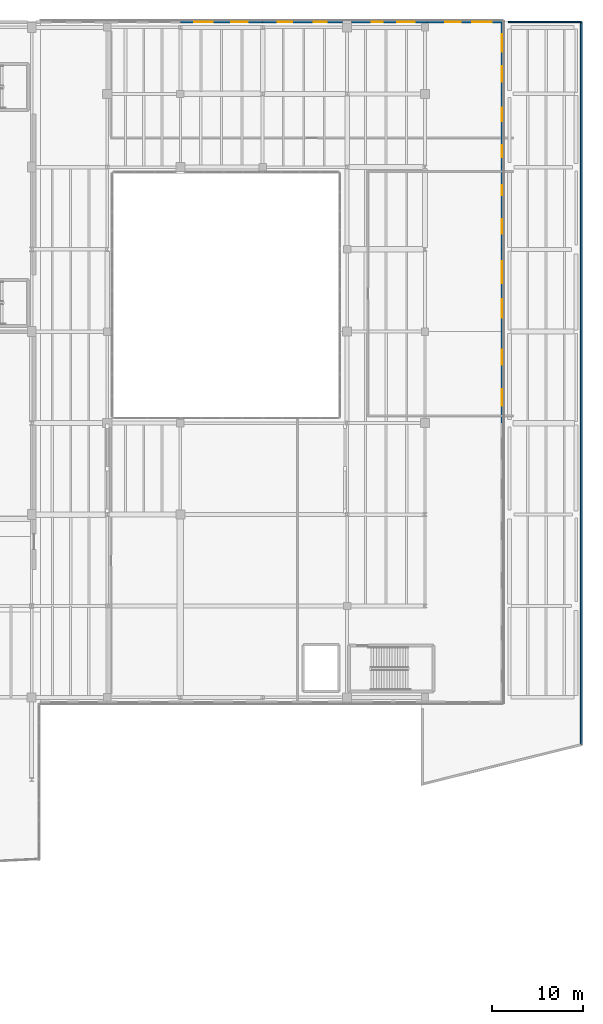
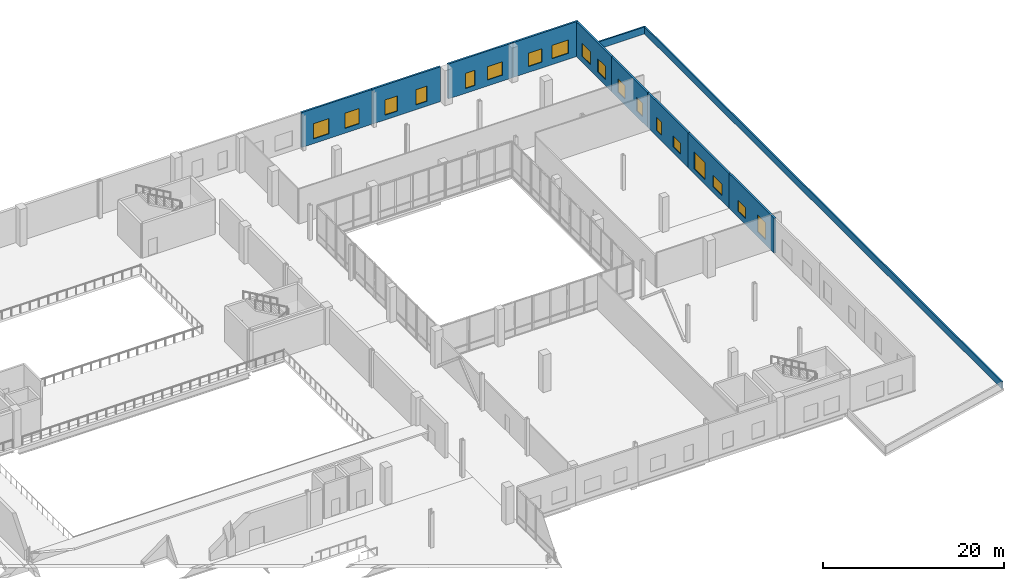
# One storey, part 60 of 73: 18 windows, 11 walls, 18 openings.
"""IFC4 building model written with IfcOpenShell, lengths in metres."""

from ifc_helpers import new_model, si_unit, direction, frame, frame_2d, origin, place, context, subcontext, project, spatial, rectangle, extrude, material, layer, layer_set, type_object, element, fill, save


model = new_model("IFC4")

# Units and contexts
model_context = context("Model", 3, precision=1e-05, world=origin(), true_north=direction((0.0, 1.0)))
body_context = subcontext(model_context, "Body", "Model", "MODEL_VIEW")
ifc_project = project(units=[si_unit("LENGTHUNIT", "METRE"), si_unit("AREAUNIT", "SQUARE_METRE"), si_unit("VOLUMEUNIT", "CUBIC_METRE"), si_unit("PLANEANGLEUNIT", "RADIAN"), si_unit("MASSUNIT", "GRAM", prefix="KILO")], contexts=[model_context])

# Site, building, storey
site_placement = place(None, origin())
site = spatial("IfcSite", under=ifc_project, at=site_placement, CompositionType="ELEMENT")
building_placement = place(site_placement, origin())
building = spatial("IfcBuilding", under=site, at=building_placement, Name="Trimount Lyric Opera House", CompositionType="ELEMENT")
storey_placement = place(building_placement, frame((0.0, 0.0, 10.0)))
storey = spatial("IfcBuildingStorey", under=building, at=storey_placement, Name="L02", CompositionType="ELEMENT", Elevation=10.0)

# Walls
ifc_material_1 = material(Name="Precast concrete C40/50", Category="concrete")
ifc_layer_1 = layer(ifc_material_1, 0.18994140625)
ifc_layer_set_1 = layer_set([ifc_layer_1], Name="WL-PA190")
wall_type_1 = type_object("IfcWallType", Name="WL-PA190", PredefinedType="PARAPET", material=ifc_layer_set_1)
wall_1_placement = place(storey_placement, frame((165.8701171875, 117.860107421875, 0.0), z_axis=(0.0, 0.0, 1.0), x_axis=(1.0, 0.0, 0.0)))
element("IfcWall", 1, at=wall_1_placement, inside=storey, type_object=wall_type_1, Name="L02 roof parapet 005", PredefinedType="PARAPET", context=body_context, shape_type="SweptSolid", body=[
    extrude(rectangle(XDim=7.989990234375, YDim=0.18994140625, at=frame_2d((3.9951171875, 0.0))), origin(), (0.0, 0.0, 1.0), 0.949951171875),
])
wall_2_placement = place(storey_placement, frame((173.860107421875, 117.860107421875, 0.0), z_axis=(0.0, 0.0, 1.0), x_axis=(0.0, -1.0, 0.0)))
element("IfcWall", 2, at=wall_2_placement, inside=storey, type_object=wall_type_1, Name="L02 roof parapet 006", PredefinedType="PARAPET", context=body_context, shape_type="SweptSolid", body=[
    extrude(rectangle(XDim=79.03076171875, YDim=0.18994140625, at=frame_2d((39.515380859375, 0.0))), origin(), (0.0, 0.0, 1.0), 0.949951171875),
])

# Wall, openings, windows
ifc_material_2 = material(Name="Concrete C35/45", Category="concrete")
ifc_layer_2 = layer(ifc_material_2, 0.239990234375)
ifc_layer_set_2 = layer_set([ifc_layer_2], Name="WL-SW240")
wall_type_2 = type_object("IfcWallType", Name="WL-SW240", PredefinedType="SOLIDWALL", material=ifc_layer_set_2)
wall_3_placement = place(storey_placement, frame((130.0, 117.860107421875, 0.0), z_axis=(0.0, 0.0, 1.0), x_axis=(1.0, 0.0, 0.0)))
wall_3 = element("IfcWall", 3, at=wall_3_placement, inside=storey, type_object=wall_type_2, Name="L02 exterior facade wall 218", PredefinedType="SOLIDWALL", context=body_context, shape_type="SweptSolid", body=[
    extrude(rectangle(XDim=9.0, YDim=0.239990234375, at=frame_2d((4.5, 0.0))), origin(), (0.0, 0.0, 1.0), 4.7099609375),
])
opening_1_placement = place(wall_3_placement, frame((1.52001953125, 0.0, 0.64990234375)))
opening_1 = element("IfcOpeningElement", 4, at=opening_1_placement, cuts=wall_3, Name="Opening WT-10", PredefinedType="OPENING", context=body_context, shape_type="SweptSolid", body=[
    extrude(rectangle(XDim=2.0, YDim=2.050048828125, at=frame_2d((1.0, 1.02490234375))), frame((0.0, 0.1298828125, 0.0), z_axis=(0.0, -1.0, 0.0), x_axis=(1.0, 0.0, 0.0)), (0.0, 0.0, 1.0), 0.260009765625),
])
opening_2_placement = place(wall_3_placement, frame((5.580078125, 0.0, 0.64990234375)))
opening_2 = element("IfcOpeningElement", 5, at=opening_2_placement, cuts=wall_3, Name="Opening WT-11", PredefinedType="OPENING", context=body_context, shape_type="SweptSolid", body=[
    extrude(rectangle(XDim=1.800048828125, YDim=2.050048828125, at=frame_2d((0.89990234375, 1.02490234375))), frame((0.0, 0.1298828125, 0.0), z_axis=(0.0, -1.0, 0.0), x_axis=(1.0, 0.0, 0.0)), (0.0, 0.0, 1.0), 0.260009765625),
])
ifc_material_3 = material(Name="Low-E Insulated Glazing in Bronze Frame", Category="glass")
window_type_1 = type_object("IfcWindowType", Name="WT-10", PartitioningType="DOUBLE_PANEL_VERTICAL", PredefinedType="WINDOW", material=ifc_material_3)
window_1_placement = place(opening_1_placement, origin())
window_1 = element("IfcWindow", 6, at=window_1_placement, inside=storey, type_object=window_type_1, Name="Window WT-10-0166", OverallHeight=2.050048828125, OverallWidth=2.0, PartitioningType="SINGLE_PANEL", PredefinedType="WINDOW", context=body_context, shape_type="SweptSolid", body=[
    extrude(rectangle(XDim=2.0, YDim=2.050048828125, at=frame_2d((1.0, 1.02490234375))), frame((0.0, 0.030029296875, 0.0), z_axis=(0.0, -1.0, 0.0), x_axis=(1.0, 0.0, 0.0)), (0.0, 0.0, 1.0), 0.06005859375),
])
fill(opening_1, window_1)
ifc_material_4 = material(Name="Low-E Insulated Glazing in Bronze Frame", Category="glass")
window_type_2 = type_object("IfcWindowType", Name="WT-11", PartitioningType="DOUBLE_PANEL_VERTICAL", PredefinedType="WINDOW", material=ifc_material_4)
window_2_placement = place(opening_2_placement, origin())
window_2 = element("IfcWindow", 7, at=window_2_placement, inside=storey, type_object=window_type_2, Name="Window WT-11-0167", OverallHeight=2.050048828125, OverallWidth=1.800048828125, PartitioningType="SINGLE_PANEL", PredefinedType="WINDOW", context=body_context, shape_type="SweptSolid", body=[
    extrude(rectangle(XDim=1.800048828125, YDim=2.050048828125, at=frame_2d((0.89990234375, 1.02490234375))), frame((0.0, 0.030029296875, 0.0), z_axis=(0.0, -1.0, 0.0), x_axis=(1.0, 0.0, 0.0)), (0.0, 0.0, 1.0), 0.06005859375),
])
fill(opening_2, window_2)

wall_4_placement = place(storey_placement, frame((139.0, 117.860107421875, 0.0), z_axis=(0.0, 0.0, 1.0), x_axis=(1.0, 0.0, 0.0)))
wall_4 = element("IfcWall", 8, at=wall_4_placement, inside=storey, type_object=wall_type_2, Name="L02 exterior facade wall 219", PredefinedType="SOLIDWALL", context=body_context, shape_type="SweptSolid", body=[
    extrude(rectangle(XDim=8.739990234375, YDim=0.239990234375, at=frame_2d((4.3701171875, 0.0))), origin(), (0.0, 0.0, 1.0), 4.7099609375),
])
opening_3_placement = place(wall_4_placement, frame((1.647216796875, 0.0, 0.64990234375)))
opening_3 = element("IfcOpeningElement", 9, at=opening_3_placement, cuts=wall_4, Name="Opening WT-12", PredefinedType="OPENING", context=body_context, shape_type="SweptSolid", body=[
    extrude(rectangle(XDim=1.60009765625, YDim=2.050048828125, at=frame_2d((0.800048828125, 1.02490234375))), frame((0.0, 0.1298828125, 0.0), z_axis=(0.0, -1.0, 0.0), x_axis=(1.0, 0.0, 0.0)), (0.0, 0.0, 1.0), 0.260009765625),
])
opening_4_placement = place(wall_4_placement, frame((5.5927734375, 0.0, 0.64990234375)))
opening_4 = element("IfcOpeningElement", 10, at=opening_4_placement, cuts=wall_4, Name="Opening WT-13", PredefinedType="OPENING", context=body_context, shape_type="SweptSolid", body=[
    extrude(rectangle(XDim=1.39990234375, YDim=2.050048828125, at=frame_2d((0.699951171875, 1.02490234375))), frame((0.0, 0.1298828125, 0.0), z_axis=(0.0, -1.0, 0.0), x_axis=(1.0, 0.0, 0.0)), (0.0, 0.0, 1.0), 0.260009765625),
])
ifc_material_5 = material(Name="Low-E Insulated Glazing in Bronze Frame", Category="glass")
window_type_3 = type_object("IfcWindowType", Name="WT-12", PartitioningType="SINGLE_PANEL", PredefinedType="WINDOW", material=ifc_material_5)
window_3_placement = place(opening_3_placement, origin())
window_3 = element("IfcWindow", 11, at=window_3_placement, inside=storey, type_object=window_type_3, Name="Window WT-12-0168", OverallHeight=2.050048828125, OverallWidth=1.60009765625, PartitioningType="SINGLE_PANEL", PredefinedType="WINDOW", context=body_context, shape_type="SweptSolid", body=[
    extrude(rectangle(XDim=1.60009765625, YDim=2.050048828125, at=frame_2d((0.800048828125, 1.02490234375))), frame((0.0, 0.030029296875, 0.0), z_axis=(0.0, -1.0, 0.0), x_axis=(1.0, 0.0, 0.0)), (0.0, 0.0, 1.0), 0.06005859375),
])
fill(opening_3, window_3)
ifc_material_6 = material(Name="Low-E Insulated Glazing in Bronze Frame", Category="glass")
window_type_4 = type_object("IfcWindowType", Name="WT-13", PartitioningType="SINGLE_PANEL", PredefinedType="WINDOW", material=ifc_material_6)
window_4_placement = place(opening_4_placement, origin())
window_4 = element("IfcWindow", 12, at=window_4_placement, inside=storey, type_object=window_type_4, Name="Window WT-13-0169", OverallHeight=2.050048828125, OverallWidth=1.39990234375, PartitioningType="SINGLE_PANEL", PredefinedType="WINDOW", context=body_context, shape_type="SweptSolid", body=[
    extrude(rectangle(XDim=1.39990234375, YDim=2.050048828125, at=frame_2d((0.699951171875, 1.02490234375))), frame((0.0, 0.030029296875, 0.0), z_axis=(0.0, -1.0, 0.0), x_axis=(1.0, 0.0, 0.0)), (0.0, 0.0, 1.0), 0.06005859375),
])
fill(opening_4, window_4)

wall_5_placement = place(storey_placement, frame((148.739990234375, 117.860107421875, 0.0), z_axis=(0.0, 0.0, 1.0), x_axis=(1.0, 0.0, 0.0)))
wall_5 = element("IfcWall", 13, at=wall_5_placement, inside=storey, type_object=wall_type_2, Name="L02 exterior facade wall 220", PredefinedType="SOLIDWALL", context=body_context, shape_type="SweptSolid", body=[
    extrude(rectangle(XDim=8.260009765625, YDim=0.239990234375, at=frame_2d((4.1298828125, 0.0))), origin(), (0.0, 0.0, 1.0), 4.7099609375),
])
opening_5_placement = place(wall_5_placement, frame((2.212890625, 0.0, 0.64990234375)))
opening_5 = element("IfcOpeningElement", 14, at=opening_5_placement, cuts=wall_5, Name="Opening WT-14", PredefinedType="OPENING", context=body_context, shape_type="SweptSolid", body=[
    extrude(rectangle(XDim=1.199951171875, YDim=2.050048828125, at=frame_2d((0.60009765625, 1.02490234375))), frame((0.0, 0.1298828125, 0.0), z_axis=(0.0, -1.0, 0.0), x_axis=(1.0, 0.0, 0.0)), (0.0, 0.0, 1.0), 0.260009765625),
])
opening_6_placement = place(wall_5_placement, frame((4.997314453125, 0.0, 0.800048828125)))
opening_6 = element("IfcOpeningElement", 15, at=opening_6_placement, cuts=wall_5, Name="Opening WT-18", PredefinedType="OPENING", context=body_context, shape_type="SweptSolid", body=[
    extrude(rectangle(XDim=1.89990234375, YDim=1.800048828125, at=frame_2d((0.949951171875, 0.89990234375))), frame((0.0, 0.1298828125, 0.0), z_axis=(0.0, -1.0, 0.0), x_axis=(1.0, 0.0, 0.0)), (0.0, 0.0, 1.0), 0.260009765625),
])
ifc_material_7 = material(Name="Low-E Insulated Glazing in Bronze Frame", Category="glass")
window_type_5 = type_object("IfcWindowType", Name="WT-14", PartitioningType="SINGLE_PANEL", PredefinedType="WINDOW", material=ifc_material_7)
window_5_placement = place(opening_5_placement, origin())
window_5 = element("IfcWindow", 16, at=window_5_placement, inside=storey, type_object=window_type_5, Name="Window WT-14-0170", OverallHeight=2.050048828125, OverallWidth=1.199951171875, PartitioningType="SINGLE_PANEL", PredefinedType="WINDOW", context=body_context, shape_type="SweptSolid", body=[
    extrude(rectangle(XDim=1.199951171875, YDim=2.050048828125, at=frame_2d((0.60009765625, 1.02490234375))), frame((0.0, 0.030029296875, 0.0), z_axis=(0.0, -1.0, 0.0), x_axis=(1.0, 0.0, 0.0)), (0.0, 0.0, 1.0), 0.06005859375),
])
fill(opening_5, window_5)
ifc_material_8 = material(Name="Dressing Suite Acoustic Window")
window_type_6 = type_object("IfcWindowType", Name="WT-18", PartitioningType="DOUBLE_PANEL_VERTICAL", PredefinedType="WINDOW", material=ifc_material_8)
window_6_placement = place(opening_6_placement, origin())
window_6 = element("IfcWindow", 17, at=window_6_placement, inside=storey, type_object=window_type_6, Name="Window WT-18-0171", OverallHeight=1.800048828125, OverallWidth=1.89990234375, PartitioningType="SINGLE_PANEL", PredefinedType="WINDOW", context=body_context, shape_type="SweptSolid", body=[
    extrude(rectangle(XDim=1.89990234375, YDim=1.800048828125, at=frame_2d((0.949951171875, 0.89990234375))), frame((0.0, 0.030029296875, 0.0), z_axis=(0.0, -1.0, 0.0), x_axis=(1.0, 0.0, 0.0)), (0.0, 0.0, 1.0), 0.06005859375),
])
fill(opening_6, window_6)

wall_6_placement = place(storey_placement, frame((157.0, 117.860107421875, 0.0), z_axis=(0.0, 0.0, 1.0), x_axis=(1.0, 0.0, 0.0)))
wall_6 = element("IfcWall", 18, at=wall_6_placement, inside=storey, type_object=wall_type_2, Name="L02 exterior facade wall 221", PredefinedType="SOLIDWALL", context=body_context, shape_type="SweptSolid", body=[
    extrude(rectangle(XDim=8.320068359375, YDim=0.239990234375, at=frame_2d((4.16015625, 0.0))), origin(), (0.0, 0.0, 1.0), 4.7099609375),
])
opening_7_placement = place(wall_6_placement, frame((1.9794921875, 0.0, 0.800048828125)))
opening_7 = element("IfcOpeningElement", 19, at=opening_7_placement, cuts=wall_6, Name="Opening WT-19", PredefinedType="OPENING", context=body_context, shape_type="SweptSolid", body=[
    extrude(rectangle(XDim=1.699951171875, YDim=1.800048828125, at=frame_2d((0.85009765625, 0.89990234375))), frame((0.0, 0.1298828125, 0.0), z_axis=(0.0, -1.0, 0.0), x_axis=(1.0, 0.0, 0.0)), (0.0, 0.0, 1.0), 0.260009765625),
])
opening_8_placement = place(wall_6_placement, frame((4.9404296875, 0.0, 0.800048828125)))
opening_8 = element("IfcOpeningElement", 20, at=opening_8_placement, cuts=wall_6, Name="Opening WT-17", PredefinedType="OPENING", context=body_context, shape_type="SweptSolid", body=[
    extrude(rectangle(XDim=2.10009765625, YDim=1.800048828125, at=frame_2d((1.050048828125, 0.89990234375))), frame((0.0, 0.1298828125, 0.0), z_axis=(0.0, -1.0, 0.0), x_axis=(1.0, 0.0, 0.0)), (0.0, 0.0, 1.0), 0.260009765625),
])
ifc_material_9 = material(Name="Dressing Suite Acoustic Window")
window_type_7 = type_object("IfcWindowType", Name="WT-17", PartitioningType="DOUBLE_PANEL_VERTICAL", PredefinedType="WINDOW", material=ifc_material_9)
window_7_placement = place(opening_8_placement, origin())
window_7 = element("IfcWindow", 21, at=window_7_placement, inside=storey, type_object=window_type_7, Name="Window WT-17-0173", OverallHeight=1.800048828125, OverallWidth=2.10009765625, PartitioningType="SINGLE_PANEL", PredefinedType="WINDOW", context=body_context, shape_type="SweptSolid", body=[
    extrude(rectangle(XDim=2.10009765625, YDim=1.800048828125, at=frame_2d((1.050048828125, 0.89990234375))), frame((0.0, 0.030029296875, 0.0), z_axis=(0.0, -1.0, 0.0), x_axis=(1.0, 0.0, 0.0)), (0.0, 0.0, 1.0), 0.06005859375),
])
fill(opening_8, window_7)
ifc_material_10 = material(Name="Dressing Suite Acoustic Window")
window_type_8 = type_object("IfcWindowType", Name="WT-19", PartitioningType="SINGLE_PANEL", PredefinedType="WINDOW", material=ifc_material_10)
window_8_placement = place(opening_7_placement, origin())
window_8 = element("IfcWindow", 22, at=window_8_placement, inside=storey, type_object=window_type_8, Name="Window WT-19-0172", OverallHeight=1.800048828125, OverallWidth=1.699951171875, PartitioningType="SINGLE_PANEL", PredefinedType="WINDOW", context=body_context, shape_type="SweptSolid", body=[
    extrude(rectangle(XDim=1.699951171875, YDim=1.800048828125, at=frame_2d((0.85009765625, 0.89990234375))), frame((0.0, 0.030029296875, 0.0), z_axis=(0.0, -1.0, 0.0), x_axis=(1.0, 0.0, 0.0)), (0.0, 0.0, 1.0), 0.06005859375),
])
fill(opening_7, window_8)

wall_7_placement = place(storey_placement, frame((165.179931640625, 117.735107421875, 0.0), z_axis=(0.0, 0.0, 1.0), x_axis=(0.0, -1.0, 0.0)))
wall_7 = element("IfcWall", 23, at=wall_7_placement, inside=storey, type_object=wall_type_2, Name="L02 exterior facade wall 222", PredefinedType="SOLIDWALL", context=body_context, shape_type="SweptSolid", body=[
    extrude(rectangle(XDim=7.735107421875, YDim=0.239990234375, at=frame_2d((3.86767578125, 0.0))), origin(), (0.0, 0.0, 1.0), 4.7099609375),
])
opening_9_placement = place(wall_7_placement, frame((1.2158203125, 0.0, 0.800048828125)))
opening_9 = element("IfcOpeningElement", 24, at=opening_9_placement, cuts=wall_7, Name="Opening WT-18", PredefinedType="OPENING", context=body_context, shape_type="SweptSolid", body=[
    extrude(rectangle(XDim=1.89990234375, YDim=1.800048828125, at=frame_2d((0.949951171875, 0.89990234375))), frame((0.0, 0.1298828125, 0.0), z_axis=(0.0, -1.0, 0.0), x_axis=(1.0, 0.0, 0.0)), (0.0, 0.0, 1.0), 0.260009765625),
])
opening_10_placement = place(wall_7_placement, frame((4.71923828125, 0.0, 0.800048828125)))
opening_10 = element("IfcOpeningElement", 25, at=opening_10_placement, cuts=wall_7, Name="Opening WT-19", PredefinedType="OPENING", context=body_context, shape_type="SweptSolid", body=[
    extrude(rectangle(XDim=1.699951171875, YDim=1.800048828125, at=frame_2d((0.85009765625, 0.89990234375))), frame((0.0, 0.1298828125, 0.0), z_axis=(0.0, -1.0, 0.0), x_axis=(1.0, 0.0, 0.0)), (0.0, 0.0, 1.0), 0.260009765625),
])
window_9_placement = place(opening_9_placement, origin())
window_9 = element("IfcWindow", 26, at=window_9_placement, inside=storey, type_object=window_type_6, Name="Window WT-18-0174", OverallHeight=1.800048828125, OverallWidth=1.89990234375, PartitioningType="SINGLE_PANEL", PredefinedType="WINDOW", context=body_context, shape_type="SweptSolid", body=[
    extrude(rectangle(XDim=1.89990234375, YDim=1.800048828125, at=frame_2d((0.949951171875, 0.89990234375))), frame((0.0, 0.030029296875, 0.0), z_axis=(0.0, -1.0, 0.0), x_axis=(1.0, 0.0, 0.0)), (0.0, 0.0, 1.0), 0.06005859375),
])
fill(opening_9, window_9)
window_10_placement = place(opening_10_placement, origin())
window_10 = element("IfcWindow", 27, at=window_10_placement, inside=storey, type_object=window_type_8, Name="Window WT-19-0175", OverallHeight=1.800048828125, OverallWidth=1.699951171875, PartitioningType="SINGLE_PANEL", PredefinedType="WINDOW", context=body_context, shape_type="SweptSolid", body=[
    extrude(rectangle(XDim=1.699951171875, YDim=1.800048828125, at=frame_2d((0.85009765625, 0.89990234375))), frame((0.0, 0.030029296875, 0.0), z_axis=(0.0, -1.0, 0.0), x_axis=(1.0, 0.0, 0.0)), (0.0, 0.0, 1.0), 0.06005859375),
])
fill(opening_10, window_10)

wall_8_placement = place(storey_placement, frame((165.179931640625, 110.0, 0.0), z_axis=(0.0, 0.0, 1.0), x_axis=(0.0, -1.0, 0.0)))
wall_8 = element("IfcWall", 28, at=wall_8_placement, inside=storey, type_object=wall_type_2, Name="L02 exterior facade wall 223", PredefinedType="SOLIDWALL", context=body_context, shape_type="SweptSolid", body=[
    extrude(rectangle(XDim=8.0, YDim=0.239990234375, at=frame_2d((4.0, 0.0))), origin(), (0.0, 0.0, 1.0), 4.7099609375),
])
opening_11_placement = place(wall_8_placement, frame((1.489990234375, 0.0, 0.800048828125)))
opening_11 = element("IfcOpeningElement", 29, at=opening_11_placement, cuts=wall_8, Name="Opening WT-20", PredefinedType="OPENING", context=body_context, shape_type="SweptSolid", body=[
    extrude(rectangle(XDim=1.5, YDim=1.800048828125, at=frame_2d((0.75, 0.89990234375))), frame((0.0, 0.1298828125, 0.0), z_axis=(0.0, -1.0, 0.0), x_axis=(1.0, 0.0, 0.0)), (0.0, 0.0, 1.0), 0.260009765625),
])
opening_12_placement = place(wall_8_placement, frame((5.610107421875, 0.0, 0.800048828125)))
opening_12 = element("IfcOpeningElement", 30, at=opening_12_placement, cuts=wall_8, Name="Opening WT-21", PredefinedType="OPENING", context=body_context, shape_type="SweptSolid", body=[
    extrude(rectangle(XDim=1.300048828125, YDim=1.800048828125, at=frame_2d((0.64990234375, 0.89990234375))), frame((0.0, 0.1298828125, 0.0), z_axis=(0.0, -1.0, 0.0), x_axis=(1.0, 0.0, 0.0)), (0.0, 0.0, 1.0), 0.260009765625),
])
ifc_material_11 = material(Name="Dressing Suite Acoustic Window")
window_type_9 = type_object("IfcWindowType", Name="WT-20", PartitioningType="SINGLE_PANEL", PredefinedType="WINDOW", material=ifc_material_11)
window_11_placement = place(opening_11_placement, origin())
window_11 = element("IfcWindow", 31, at=window_11_placement, inside=storey, type_object=window_type_9, Name="Window WT-20-0176", OverallHeight=1.800048828125, OverallWidth=1.5, PartitioningType="SINGLE_PANEL", PredefinedType="WINDOW", context=body_context, shape_type="SweptSolid", body=[
    extrude(rectangle(XDim=1.5, YDim=1.800048828125, at=frame_2d((0.75, 0.89990234375))), frame((0.0, 0.030029296875, 0.0), z_axis=(0.0, -1.0, 0.0), x_axis=(1.0, 0.0, 0.0)), (0.0, 0.0, 1.0), 0.06005859375),
])
fill(opening_11, window_11)
ifc_material_12 = material(Name="Dressing Suite Acoustic Window")
window_type_10 = type_object("IfcWindowType", Name="WT-21", PartitioningType="SINGLE_PANEL", PredefinedType="WINDOW", material=ifc_material_12)
window_12_placement = place(opening_12_placement, origin())
window_12 = element("IfcWindow", 32, at=window_12_placement, inside=storey, type_object=window_type_10, Name="Window WT-21-0177", OverallHeight=1.800048828125, OverallWidth=1.300048828125, PartitioningType="SINGLE_PANEL", PredefinedType="WINDOW", context=body_context, shape_type="SweptSolid", body=[
    extrude(rectangle(XDim=1.300048828125, YDim=1.800048828125, at=frame_2d((0.64990234375, 0.89990234375))), frame((0.0, 0.030029296875, 0.0), z_axis=(0.0, -1.0, 0.0), x_axis=(1.0, 0.0, 0.0)), (0.0, 0.0, 1.0), 0.06005859375),
])
fill(opening_12, window_12)

wall_9_placement = place(storey_placement, frame((165.179931640625, 102.0, 0.0), z_axis=(0.0, 0.0, 1.0), x_axis=(0.0, -1.0, 0.0)))
wall_9 = element("IfcWall", 33, at=wall_9_placement, inside=storey, type_object=wall_type_2, Name="L02 exterior facade wall 224", PredefinedType="SOLIDWALL", context=body_context, shape_type="SweptSolid", body=[
    extrude(rectangle(XDim=9.0, YDim=0.239990234375, at=frame_2d((4.5, 0.0))), origin(), (0.0, 0.0, 1.0), 4.7099609375),
])
opening_13_placement = place(wall_9_placement, frame((1.969970703125, 0.0, 0.800048828125)))
opening_13 = element("IfcOpeningElement", 34, at=opening_13_placement, cuts=wall_9, Name="Opening WT-22", PredefinedType="OPENING", context=body_context, shape_type="SweptSolid", body=[
    extrude(rectangle(XDim=1.10009765625, YDim=1.800048828125, at=frame_2d((0.550048828125, 0.89990234375))), frame((0.0, 0.1298828125, 0.0), z_axis=(0.0, -1.0, 0.0), x_axis=(1.0, 0.0, 0.0)), (0.0, 0.0, 1.0), 0.260009765625),
])
opening_14_placement = place(wall_9_placement, frame((5.679931640625, 0.0, 0.800048828125)))
opening_14 = element("IfcOpeningElement", 35, at=opening_14_placement, cuts=wall_9, Name="Opening WT-26", PredefinedType="OPENING", context=body_context, shape_type="SweptSolid", body=[
    extrude(rectangle(XDim=1.60009765625, YDim=1.5, at=frame_2d((0.800048828125, 0.75))), frame((0.0, 0.1298828125, 0.0), z_axis=(0.0, -1.0, 0.0), x_axis=(1.0, 0.0, 0.0)), (0.0, 0.0, 1.0), 0.260009765625),
])
ifc_material_13 = material(Name="Practice Room Acoustic Window")
window_type_11 = type_object("IfcWindowType", Name="WT-22", PartitioningType="SINGLE_PANEL", PredefinedType="WINDOW", material=ifc_material_13)
window_13_placement = place(opening_13_placement, origin())
window_13 = element("IfcWindow", 36, at=window_13_placement, inside=storey, type_object=window_type_11, Name="Window WT-22-0178", OverallHeight=1.800048828125, OverallWidth=1.10009765625, PartitioningType="SINGLE_PANEL", PredefinedType="WINDOW", context=body_context, shape_type="SweptSolid", body=[
    extrude(rectangle(XDim=1.10009765625, YDim=1.800048828125, at=frame_2d((0.550048828125, 0.89990234375))), frame((0.0, 0.030029296875, 0.0), z_axis=(0.0, -1.0, 0.0), x_axis=(1.0, 0.0, 0.0)), (0.0, 0.0, 1.0), 0.06005859375),
])
fill(opening_13, window_13)
ifc_material_14 = material(Name="Clerestory Ribbon Glazing", Category="glass")
window_type_12 = type_object("IfcWindowType", Name="WT-26", PartitioningType="SINGLE_PANEL", PredefinedType="WINDOW", material=ifc_material_14)
window_14_placement = place(opening_14_placement, origin())
window_14 = element("IfcWindow", 37, at=window_14_placement, inside=storey, type_object=window_type_12, Name="Window WT-26-0179", OverallHeight=1.5, OverallWidth=1.60009765625, PartitioningType="SINGLE_PANEL", PredefinedType="WINDOW", context=body_context, shape_type="SweptSolid", body=[
    extrude(rectangle(XDim=1.60009765625, YDim=1.5, at=frame_2d((0.800048828125, 0.75))), frame((0.0, 0.030029296875, 0.0), z_axis=(0.0, -1.0, 0.0), x_axis=(1.0, 0.0, 0.0)), (0.0, 0.0, 1.0), 0.06005859375),
])
fill(opening_14, window_14)

wall_10_placement = place(storey_placement, frame((165.179931640625, 93.0, 0.0), z_axis=(0.0, 0.0, 1.0), x_axis=(0.0, -1.0, 0.0)))
wall_10 = element("IfcWall", 38, at=wall_10_placement, inside=storey, type_object=wall_type_2, Name="L02 exterior facade wall 225", PredefinedType="SOLIDWALL", context=body_context, shape_type="SweptSolid", body=[
    extrude(rectangle(XDim=9.0, YDim=0.239990234375, at=frame_2d((4.5, 0.0))), origin(), (0.0, 0.0, 1.0), 4.7099609375),
])
opening_15_placement = place(wall_10_placement, frame((1.320068359375, 0.0, 0.64990234375)))
opening_15 = element("IfcOpeningElement", 39, at=opening_15_placement, cuts=wall_10, Name="Opening WT-01", PredefinedType="OPENING", context=body_context, shape_type="SweptSolid", body=[
    extrude(rectangle(XDim=2.39990234375, YDim=2.300048828125, at=frame_2d((1.199951171875, 1.14990234375))), frame((0.0, 0.1298828125, 0.0), z_axis=(0.0, -1.0, 0.0), x_axis=(1.0, 0.0, 0.0)), (0.0, 0.0, 1.0), 0.260009765625),
])
opening_16_placement = place(wall_10_placement, frame((5.47998046875, 0.0, 0.800048828125)))
opening_16 = element("IfcOpeningElement", 40, at=opening_16_placement, cuts=wall_10, Name="Opening WT-25", PredefinedType="OPENING", context=body_context, shape_type="SweptSolid", body=[
    extrude(rectangle(XDim=2.0, YDim=1.5, at=frame_2d((1.0, 0.75))), frame((0.0, 0.1298828125, 0.0), z_axis=(0.0, -1.0, 0.0), x_axis=(1.0, 0.0, 0.0)), (0.0, 0.0, 1.0), 0.260009765625),
])
ifc_material_15 = material(Name="Triple Acoustic Glazing in Aluminium Frame", Category="aluminium")
window_type_13 = type_object("IfcWindowType", Name="WT-01", PartitioningType="DOUBLE_PANEL_VERTICAL", PredefinedType="WINDOW", material=ifc_material_15)
window_15_placement = place(opening_15_placement, origin())
window_15 = element("IfcWindow", 41, at=window_15_placement, inside=storey, type_object=window_type_13, Name="Window WT-01-0180", OverallHeight=2.300048828125, OverallWidth=2.39990234375, PartitioningType="SINGLE_PANEL", PredefinedType="WINDOW", context=body_context, shape_type="SweptSolid", body=[
    extrude(rectangle(XDim=2.39990234375, YDim=2.300048828125, at=frame_2d((1.199951171875, 1.14990234375))), frame((0.0, 0.030029296875, 0.0), z_axis=(0.0, -1.0, 0.0), x_axis=(1.0, 0.0, 0.0)), (0.0, 0.0, 1.0), 0.06005859375),
])
fill(opening_15, window_15)
ifc_material_16 = material(Name="Clerestory Ribbon Glazing", Category="glass")
window_type_14 = type_object("IfcWindowType", Name="WT-25", PartitioningType="DOUBLE_PANEL_HORIZONTAL", PredefinedType="WINDOW", material=ifc_material_16)
window_16_placement = place(opening_16_placement, origin())
window_16 = element("IfcWindow", 42, at=window_16_placement, inside=storey, type_object=window_type_14, Name="Window WT-25-0181", OverallHeight=1.5, OverallWidth=2.0, PartitioningType="SINGLE_PANEL", PredefinedType="WINDOW", context=body_context, shape_type="SweptSolid", body=[
    extrude(rectangle(XDim=2.0, YDim=1.5, at=frame_2d((1.0, 0.75))), frame((0.0, 0.030029296875, 0.0), z_axis=(0.0, -1.0, 0.0), x_axis=(1.0, 0.0, 0.0)), (0.0, 0.0, 1.0), 0.06005859375),
])
fill(opening_16, window_16)

wall_11_placement = place(storey_placement, frame((165.179931640625, 84.0, 0.0), z_axis=(0.0, 0.0, 1.0), x_axis=(0.0, -1.0, 0.0)))
wall_11 = element("IfcWall", 43, at=wall_11_placement, inside=storey, type_object=wall_type_2, Name="L02 exterior facade wall 226", PredefinedType="SOLIDWALL", context=body_context, shape_type="SweptSolid", body=[
    extrude(rectangle(XDim=10.0, YDim=0.239990234375, at=frame_2d((5.0, 0.0))), origin(), (0.0, 0.0, 1.0), 4.7099609375),
])
opening_17_placement = place(wall_11_placement, frame((2.0, 0.0, 0.800048828125)))
opening_17 = element("IfcOpeningElement", 44, at=opening_17_placement, cuts=wall_11, Name="Opening WT-26", PredefinedType="OPENING", context=body_context, shape_type="SweptSolid", body=[
    extrude(rectangle(XDim=1.60009765625, YDim=1.5, at=frame_2d((0.800048828125, 0.75))), frame((0.0, 0.1298828125, 0.0), z_axis=(0.0, -1.0, 0.0), x_axis=(1.0, 0.0, 0.0)), (0.0, 0.0, 1.0), 0.260009765625),
])
opening_18_placement = place(wall_11_placement, frame((6.300048828125, 0.0, 0.64990234375)))
opening_18 = element("IfcOpeningElement", 45, at=opening_18_placement, cuts=wall_11, Name="Opening WT-04", PredefinedType="OPENING", context=body_context, shape_type="SweptSolid", body=[
    extrude(rectangle(XDim=1.800048828125, YDim=2.300048828125, at=frame_2d((0.89990234375, 1.14990234375))), frame((0.0, 0.1298828125, 0.0), z_axis=(0.0, -1.0, 0.0), x_axis=(1.0, 0.0, 0.0)), (0.0, 0.0, 1.0), 0.260009765625),
])
ifc_material_17 = material(Name="Triple Acoustic Glazing in Aluminium Frame", Category="aluminium")
window_type_15 = type_object("IfcWindowType", Name="WT-04", PartitioningType="DOUBLE_PANEL_VERTICAL", PredefinedType="WINDOW", material=ifc_material_17)
window_17_placement = place(opening_18_placement, origin())
window_17 = element("IfcWindow", 46, at=window_17_placement, inside=storey, type_object=window_type_15, Name="Window WT-04-0183", OverallHeight=2.300048828125, OverallWidth=1.800048828125, PartitioningType="SINGLE_PANEL", PredefinedType="WINDOW", context=body_context, shape_type="SweptSolid", body=[
    extrude(rectangle(XDim=1.800048828125, YDim=2.300048828125, at=frame_2d((0.89990234375, 1.14990234375))), frame((0.0, 0.030029296875, 0.0), z_axis=(0.0, -1.0, 0.0), x_axis=(1.0, 0.0, 0.0)), (0.0, 0.0, 1.0), 0.06005859375),
])
fill(opening_18, window_17)
window_18_placement = place(opening_17_placement, origin())
window_18 = element("IfcWindow", 47, at=window_18_placement, inside=storey, type_object=window_type_12, Name="Window WT-26-0182", OverallHeight=1.5, OverallWidth=1.60009765625, PartitioningType="SINGLE_PANEL", PredefinedType="WINDOW", context=body_context, shape_type="SweptSolid", body=[
    extrude(rectangle(XDim=1.60009765625, YDim=1.5, at=frame_2d((0.800048828125, 0.75))), frame((0.0, 0.030029296875, 0.0), z_axis=(0.0, -1.0, 0.0), x_axis=(1.0, 0.0, 0.0)), (0.0, 0.0, 1.0), 0.06005859375),
])
fill(opening_17, window_18)

save(model, "model.ifc")
